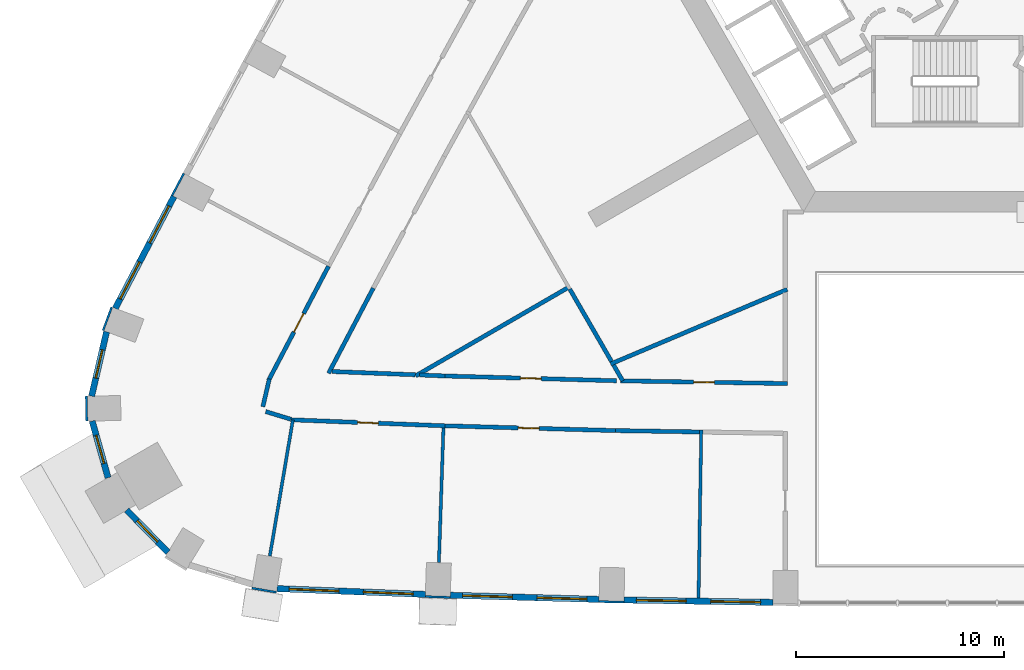
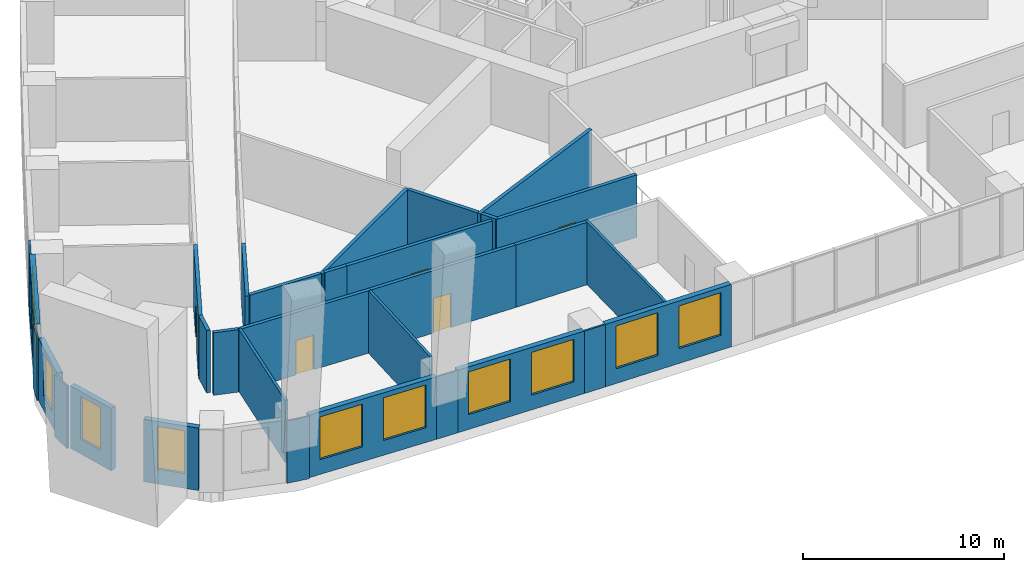
# One storey, part 4 of 15: 31 walls, 11 windows, 5 doors, 16 openings.
"""IFC4 building model written with IfcOpenShell, lengths in metres."""

from ifc_helpers import new_model, si_unit, direction, frame, frame_2d, origin, place, context, subcontext, project, spatial, rectangle, extrude, material, layer, layer_set, type_object, element, fill, save


model = new_model("IFC4")

# Units and contexts
model_context = context("Model", 3, precision=1e-05, world=origin(), true_north=direction((0.0, 1.0)))
body_context = subcontext(model_context, "Body", "Model", "MODEL_VIEW")
ifc_project = project(units=[si_unit("LENGTHUNIT", "METRE"), si_unit("AREAUNIT", "SQUARE_METRE"), si_unit("VOLUMEUNIT", "CUBIC_METRE"), si_unit("PLANEANGLEUNIT", "RADIAN"), si_unit("MASSUNIT", "GRAM", prefix="KILO")], contexts=[model_context])

# Site, building, storey
site_placement = place(None, origin())
site = spatial("IfcSite", under=ifc_project, at=site_placement, CompositionType="ELEMENT")
building_placement = place(site_placement, origin())
building = spatial("IfcBuilding", under=site, at=building_placement, Name="Entoto Arch Interchange Tower", CompositionType="ELEMENT")
storey_placement = place(building_placement, frame((0.0, 0.0, 35.0)))
storey = spatial("IfcBuildingStorey", under=building, at=storey_placement, Name="L06", CompositionType="ELEMENT", Elevation=35.0)

# Walls
ifc_material_1 = material(Name="Gypsum board partition on steel studs", Category="steel")
ifc_layer_1 = layer(ifc_material_1, 0.14990234375)
ifc_layer_set_1 = layer_set([ifc_layer_1], Name="Gypsum board partition on steel studs")
wall_type_1 = type_object("IfcWallType", Name="PARTITION 150", PredefinedType="PARTITIONING", material=ifc_layer_set_1)
wall_1_placement = place(storey_placement, frame((-31.514892578125, -19.506103515625, 0.0), z_axis=(0.0, 0.0, 1.0), x_axis=(-0.166785823947, -0.985993148521, 0.0)))
element("IfcWall", 1, at=wall_1_placement, inside=storey, type_object=wall_type_1, Name="wall:L06:p144", PredefinedType="PARTITIONING", context=body_context, shape_type="SweptSolid", body=[
    extrude(rectangle(XDim=6.650146484375, YDim=0.14990234375, at=frame_2d((3.3251953125, 0.0))), origin(), (0.0, 0.0, 1.0), 3.800048828125),
])
wall_2_placement = place(storey_placement, frame((-24.263916015625, -19.89208984375, 0.0), z_axis=(0.0, 0.0, 1.0), x_axis=(-0.033647289587, -0.999433769643, 0.0)))
element("IfcWall", 2, at=wall_2_placement, inside=storey, type_object=wall_type_1, Name="wall:L06:p145", PredefinedType="PARTITIONING", context=body_context, shape_type="SweptSolid", body=[
    extrude(rectangle(XDim=6.4794921875, YDim=0.14990234375, at=frame_2d((3.23974609375, 0.0))), origin(), (0.0, 0.0, 1.0), 3.800048828125),
])
wall_3_placement = place(storey_placement, frame((-11.847900390625, -19.990966796875, 0.0), z_axis=(0.0, 0.0, 1.0), x_axis=(-0.016305783899, -0.999867051868, 0.0)))
element("IfcWall", 3, at=wall_3_placement, inside=storey, type_object=wall_type_1, Name="wall:L06:p146", PredefinedType="PARTITIONING", context=body_context, shape_type="SweptSolid", body=[
    extrude(rectangle(XDim=8.10009765625, YDim=0.14990234375, at=frame_2d((4.050048828125, 0.0))), origin(), (0.0, 0.0, 1.0), 3.800048828125),
])

# Wall, opening, door
ifc_layer_2 = layer(ifc_material_1, 0.199951171875)
ifc_layer_set_2 = layer_set([ifc_layer_2], Name="Gypsum board partition on steel studs")
wall_type_2 = type_object("IfcWallType", Name="PARTITION 200", PredefinedType="PARTITIONING", material=ifc_layer_set_2)
wall_4_placement = place(storey_placement, frame((-15.72998046875, -17.626953125, 0.0), z_axis=(0.0, 0.0, 1.0), x_axis=(0.999866746812, -0.016324479129, 0.0)))
wall_4 = element("IfcWall", 4, at=wall_4_placement, inside=storey, type_object=wall_type_2, Name="wall:L06:p028", PredefinedType="PARTITIONING", context=body_context, shape_type="SweptSolid", body=[
    extrude(rectangle(XDim=8.031005859375, YDim=0.199951171875, at=frame_2d((4.015625, 0.0))), origin(), (0.0, 0.0, 1.0), 3.800048828125),
])
opening_1_placement = place(wall_4_placement, frame((3.514892578125, 0.0, 0.0)))
opening_1 = element("IfcOpeningElement", 5, at=opening_1_placement, cuts=wall_4, Name="Opening L06-D31", PredefinedType="OPENING", context=body_context, shape_type="SweptSolid", body=[
    extrude(rectangle(XDim=1.0, YDim=2.10009765625, at=frame_2d((0.5, 1.050048828125))), frame((0.0, 0.10986328125, 0.0), z_axis=(0.0, -1.0, 0.0), x_axis=(1.0, 0.0, 0.0)), (0.0, 0.0, 1.0), 0.219970703125),
])
ifc_material_2 = material(Name="Timber door leaf in Steel S235 frame", Category="steel")
door_type = type_object("IfcDoorType", Name="DOOR DS-10 1000x2100", OperationType="SINGLE_SWING_LEFT", PredefinedType="DOOR", material=ifc_material_2)
door_1_placement = place(opening_1_placement, origin())
door_1 = element("IfcDoor", 6, at=door_1_placement, inside=storey, type_object=door_type, Name="door:L06:31", OperationType="SINGLE_SWING_LEFT", OverallHeight=2.10009765625, OverallWidth=1.0, PredefinedType="DOOR", context=body_context, shape_type="SweptSolid", body=[
    extrude(rectangle(XDim=1.0, YDim=2.10009765625, at=frame_2d((0.5, 1.050048828125))), frame((0.0, 0.02490234375, 0.0), z_axis=(0.0, -1.0, 0.0), x_axis=(1.0, 0.0, 0.0)), (0.0, 0.0, 1.0), 0.050048828125),
])
fill(opening_1, door_1)

# Walls
wall_5_placement = place(storey_placement, frame((-27.64404296875, -13.1669921875, 0.0), z_axis=(0.0, 0.0, 1.0), x_axis=(-0.464919738277, -0.885352831904, 0.0)))
element("IfcWall", 7, at=wall_5_placement, inside=storey, type_object=wall_type_2, Name="wall:L06:p031", PredefinedType="PARTITIONING", context=body_context, shape_type="SweptSolid", body=[
    extrude(rectangle(XDim=4.62646484375, YDim=0.199951171875, at=frame_2d((2.313232421875, 0.0))), origin(), (0.0, 0.0, 1.0), 3.800048828125),
])
wall_6_placement = place(storey_placement, frame((-29.638916015625, -17.177978515625, 0.0), z_axis=(0.0, 0.0, 1.0), x_axis=(0.999228076722, -0.039284229546, 0.0)))
element("IfcWall", 8, at=wall_6_placement, inside=storey, type_object=wall_type_2, Name="wall:L06:p032", PredefinedType="PARTITIONING", context=body_context, shape_type="SweptSolid", body=[
    extrude(rectangle(XDim=4.02099609375, YDim=0.199951171875, at=frame_2d((2.010498046875, 0.0))), origin(), (0.0, 0.0, 1.0), 3.800048828125),
])
wall_7_placement = place(storey_placement, frame((-25.4208984375, -17.343994140625, 0.0), z_axis=(0.0, 0.0, 1.0), x_axis=(0.999219068508, -0.039512695804, 0.0)))
element("IfcWall", 9, at=wall_7_placement, inside=storey, type_object=wall_type_2, Name="wall:L06:p033", PredefinedType="PARTITIONING", context=body_context, shape_type="SweptSolid", body=[
    extrude(rectangle(XDim=1.241943359375, YDim=0.199951171875, at=frame_2d((0.62109375, 0.0))), origin(), (0.0, 0.0, 1.0), 3.800048828125),
])

# Wall, opening, door
wall_8_placement = place(storey_placement, frame((-24.179931640625, -17.39306640625, 0.0), z_axis=(0.0, 0.0, 1.0), x_axis=(0.999611380121, -0.02787631132, 0.0)))
wall_8 = element("IfcWall", 10, at=wall_8_placement, inside=storey, type_object=wall_type_2, Name="wall:L06:p034", PredefinedType="PARTITIONING", context=body_context, shape_type="SweptSolid", body=[
    extrude(rectangle(XDim=8.25, YDim=0.199951171875, at=frame_2d((4.125, 0.0))), origin(), (0.0, 0.0, 1.0), 3.800048828125),
])
opening_2_placement = place(wall_8_placement, frame((3.625, 0.0, 0.0)))
opening_2 = element("IfcOpeningElement", 11, at=opening_2_placement, cuts=wall_8, Name="Opening L06-D33", PredefinedType="OPENING", context=body_context, shape_type="SweptSolid", body=[
    extrude(rectangle(XDim=1.0, YDim=2.10009765625, at=frame_2d((0.5, 1.050048828125))), frame((0.0, 0.10986328125, 0.0), z_axis=(0.0, -1.0, 0.0), x_axis=(1.0, 0.0, 0.0)), (0.0, 0.0, 1.0), 0.219970703125),
])
door_2_placement = place(opening_2_placement, origin())
door_2 = element("IfcDoor", 12, at=door_2_placement, inside=storey, type_object=door_type, Name="door:L06:33", OperationType="SINGLE_SWING_RIGHT", OverallHeight=2.10009765625, OverallWidth=1.0, PredefinedType="DOOR", context=body_context, shape_type="SweptSolid", body=[
    extrude(rectangle(XDim=1.0, YDim=2.10009765625, at=frame_2d((0.5, 1.050048828125))), frame((0.0, 0.02490234375, 0.0), z_axis=(0.0, -1.0, 0.0), x_axis=(1.0, 0.0, 0.0)), (0.0, 0.0, 1.0), 0.050048828125),
])
fill(opening_2, door_2)

# Walls
wall_9_placement = place(storey_placement, frame((-31.611083984375, -19.47705078125, 0.0), z_axis=(0.0, 0.0, 1.0), x_axis=(-0.956459113118, 0.291866347723, 0.0)))
element("IfcWall", 13, at=wall_9_placement, inside=storey, type_object=wall_type_2, Name="wall:L06:p066", PredefinedType="PARTITIONING", context=body_context, shape_type="SweptSolid", body=[
    extrude(rectangle(XDim=1.26806640625, YDim=0.199951171875, at=frame_2d((0.634033203125, 0.0))), origin(), (0.0, 0.0, 1.0), 3.800048828125),
])
wall_10_placement = place(storey_placement, frame((-32.9599609375, -18.8740234375, 0.0), z_axis=(0.0, 0.0, 1.0), x_axis=(0.226081445763, 0.974108402531, 0.0)))
element("IfcWall", 14, at=wall_10_placement, inside=storey, type_object=wall_type_2, Name="wall:L06:p067", PredefinedType="PARTITIONING", context=body_context, shape_type="SweptSolid", body=[
    extrude(rectangle(XDim=1.371337890625, YDim=0.199951171875, at=frame_2d((0.685546875, 0.0))), origin(), (0.0, 0.0, 1.0), 3.800048828125),
])

# Wall, opening, door
wall_11_placement = place(storey_placement, frame((-32.696044921875, -17.6259765625, 0.0), z_axis=(0.0, 0.0, 1.0), x_axis=(0.464767882002, 0.885432558617, 0.0)))
wall_11 = element("IfcWall", 15, at=wall_11_placement, inside=storey, type_object=wall_type_2, Name="wall:L06:p068", PredefinedType="PARTITIONING", context=body_context, shape_type="SweptSolid", body=[
    extrude(rectangle(XDim=6.233154296875, YDim=0.199951171875, at=frame_2d((3.11669921875, 0.0))), origin(), (0.0, 0.0, 1.0), 3.800048828125),
])
opening_3_placement = place(wall_11_placement, frame((2.654052734375, 0.0, 0.0)))
opening_3 = element("IfcOpeningElement", 16, at=opening_3_placement, cuts=wall_11, Name="Opening L06-D19", PredefinedType="OPENING", context=body_context, shape_type="SweptSolid", body=[
    extrude(rectangle(XDim=1.0, YDim=2.10009765625, at=frame_2d((0.5, 1.050048828125))), frame((0.0, 0.10986328125, 0.0), z_axis=(0.0, -1.0, 0.0), x_axis=(1.0, 0.0, 0.0)), (0.0, 0.0, 1.0), 0.219970703125),
])
door_3_placement = place(opening_3_placement, origin())
door_3 = element("IfcDoor", 17, at=door_3_placement, inside=storey, type_object=door_type, Name="door:L06:19", OperationType="SINGLE_SWING_RIGHT", OverallHeight=2.10009765625, OverallWidth=1.0, PredefinedType="DOOR", context=body_context, shape_type="SweptSolid", body=[
    extrude(rectangle(XDim=1.0, YDim=2.10009765625, at=frame_2d((0.5, 1.050048828125))), frame((0.0, 0.02490234375, 0.0), z_axis=(0.0, -1.0, 0.0), x_axis=(1.0, 0.0, 0.0)), (0.0, 0.0, 1.0), 0.050048828125),
])
fill(opening_3, door_3)

wall_12_placement = place(storey_placement, frame((-24.18603515625, -19.794921875, 0.0), z_axis=(0.0, 0.0, 1.0), x_axis=(-0.9992284676, 0.039274285953, 0.0)))
wall_12 = element("IfcWall", 18, at=wall_12_placement, inside=storey, type_object=wall_type_2, Name="wall:L06:p069", PredefinedType="PARTITIONING", context=body_context, shape_type="SweptSolid", body=[
    extrude(rectangle(XDim=7.4345703125, YDim=0.199951171875, at=frame_2d((3.71728515625, 0.0))), origin(), (0.0, 0.0, 1.0), 3.800048828125),
])
opening_4_placement = place(wall_12_placement, frame((3.217041015625, 0.0, 0.0)))
opening_4 = element("IfcOpeningElement", 19, at=opening_4_placement, cuts=wall_12, Name="Opening L06-D20", PredefinedType="OPENING", context=body_context, shape_type="SweptSolid", body=[
    extrude(rectangle(XDim=1.0, YDim=2.10009765625, at=frame_2d((0.5, 1.050048828125))), frame((0.0, 0.10986328125, 0.0), z_axis=(0.0, -1.0, 0.0), x_axis=(1.0, 0.0, 0.0)), (0.0, 0.0, 1.0), 0.219970703125),
])
door_4_placement = place(opening_4_placement, origin())
door_4 = element("IfcDoor", 20, at=door_4_placement, inside=storey, type_object=door_type, Name="door:L06:20", OperationType="SINGLE_SWING_LEFT", OverallHeight=2.10009765625, OverallWidth=1.0, PredefinedType="DOOR", context=body_context, shape_type="SweptSolid", body=[
    extrude(rectangle(XDim=1.0, YDim=2.10009765625, at=frame_2d((0.5, 1.050048828125))), frame((0.0, 0.02490234375, 0.0), z_axis=(0.0, -1.0, 0.0), x_axis=(1.0, 0.0, 0.0)), (0.0, 0.0, 1.0), 0.050048828125),
])
fill(opening_4, door_4)

# Wall
wall_13_placement = place(storey_placement, frame((-11.924072265625, -20.089111328125, 0.0), z_axis=(0.0, 0.0, 1.0), x_axis=(-0.999867376665, 0.016285855216, 0.0)))
element("IfcWall", 21, at=wall_13_placement, inside=storey, type_object=wall_type_2, Name="wall:L06:p070", PredefinedType="PARTITIONING", context=body_context, shape_type="SweptSolid", body=[
    extrude(rectangle(XDim=4.0625, YDim=0.199951171875, at=frame_2d((2.03125, 0.0))), origin(), (0.0, 0.0, 1.0), 3.800048828125),
])

# Wall, opening, door
wall_14_placement = place(storey_placement, frame((-15.986083984375, -20.02294921875, 0.0), z_axis=(0.0, 0.0, 1.0), x_axis=(-0.999610256124, 0.027916587377, 0.0)))
wall_14 = element("IfcWall", 22, at=wall_14_placement, inside=storey, type_object=wall_type_2, Name="wall:L06:p071", PredefinedType="PARTITIONING", context=body_context, shape_type="SweptSolid", body=[
    extrude(rectangle(XDim=8.203125, YDim=0.199951171875, at=frame_2d((4.1015625, 0.0))), origin(), (0.0, 0.0, 1.0), 3.800048828125),
])
opening_5_placement = place(wall_14_placement, frame((3.677001953125, 0.0, 0.0)))
opening_5 = element("IfcOpeningElement", 23, at=opening_5_placement, cuts=wall_14, Name="Opening L06-D21", PredefinedType="OPENING", context=body_context, shape_type="SweptSolid", body=[
    extrude(rectangle(XDim=1.0, YDim=2.10009765625, at=frame_2d((0.5, 1.050048828125))), frame((0.0, 0.10986328125, 0.0), z_axis=(0.0, -1.0, 0.0), x_axis=(1.0, 0.0, 0.0)), (0.0, 0.0, 1.0), 0.219970703125),
])
door_5_placement = place(opening_5_placement, origin())
door_5 = element("IfcDoor", 24, at=door_5_placement, inside=storey, type_object=door_type, Name="door:L06:21", OperationType="SINGLE_SWING_RIGHT", OverallHeight=2.10009765625, OverallWidth=1.0, PredefinedType="DOOR", context=body_context, shape_type="SweptSolid", body=[
    extrude(rectangle(XDim=1.0, YDim=2.10009765625, at=frame_2d((0.5, 1.050048828125))), frame((0.0, 0.02490234375, 0.0), z_axis=(0.0, -1.0, 0.0), x_axis=(1.0, 0.0, 0.0)), (0.0, 0.0, 1.0), 0.050048828125),
])
fill(opening_5, door_5)

# Walls
wall_15_placement = place(storey_placement, frame((-7.7080078125, -13.221923828125, 0.0), z_axis=(0.0, 0.0, 1.0), x_axis=(-0.921093468555, -0.389341523839, 0.0)))
element("IfcWall", 25, at=wall_15_placement, inside=storey, type_object=wall_type_2, Name="wall:L06:p121", PredefinedType="PARTITIONING", context=body_context, shape_type="SweptSolid", body=[
    extrude(rectangle(XDim=9.2333984375, YDim=0.199951171875, at=frame_2d((4.61669921875, 0.0))), origin(), (0.0, 0.0, 1.0), 3.800048828125),
])
wall_16_placement = place(storey_placement, frame((-16.1708984375, -16.69189453125, 0.0), z_axis=(0.0, 0.0, 1.0), x_axis=(-0.499813503007, 0.866133051102, 0.0)))
element("IfcWall", 26, at=wall_16_placement, inside=storey, type_object=wall_type_2, Name="wall:L06:p123", PredefinedType="PARTITIONING", context=body_context, shape_type="SweptSolid", body=[
    extrude(rectangle(XDim=4.0234375, YDim=0.199951171875, at=frame_2d((2.01171875, 0.0))), origin(), (0.0, 0.0, 1.0), 3.800048828125),
])
wall_17_placement = place(storey_placement, frame((-15.6298828125, -17.6279296875, 0.0), z_axis=(0.0, 0.0, 1.0), x_axis=(-0.500577563191, 0.865691690632, 0.0)))
element("IfcWall", 27, at=wall_17_placement, inside=storey, type_object=wall_type_2, Name="wall:L06:p124", PredefinedType="PARTITIONING", context=body_context, shape_type="SweptSolid", body=[
    extrude(rectangle(XDim=0.88134765625, YDim=0.199951171875, at=frame_2d((0.440673828125, 0.0))), origin(), (0.0, 0.0, 1.0), 3.800048828125),
])
wall_18_placement = place(storey_placement, frame((-18.2109375, -13.10791015625, 0.0), z_axis=(0.0, 0.0, 1.0), x_axis=(-0.865421721769, -0.501044153235, 0.0)))
element("IfcWall", 28, at=wall_18_placement, inside=storey, type_object=wall_type_2, Name="wall:L06:p125", PredefinedType="PARTITIONING", context=body_context, shape_type="SweptSolid", body=[
    extrude(rectangle(XDim=8.546142578125, YDim=0.199951171875, at=frame_2d((4.27294921875, 0.0))), origin(), (0.0, 0.0, 1.0), 3.800048828125),
])

# Wall, openings, windows
ifc_material_3 = material(Name="Welded tuff (ignimbrite) cladding, warm buff", Category="masonry")
ifc_layer_3 = layer(ifc_material_3, 0.300048828125)
ifc_layer_set_3 = layer_set([ifc_layer_3], Name="Welded tuff (ignimbrite) cladding, warm buff")
wall_type_3 = type_object("IfcWallType", Name="STONE INFILL WALL 300", PredefinedType="STANDARD", material=ifc_layer_set_3)
wall_19_placement = place(storey_placement, frame((-32.281982421875, -27.633056640625, 0.0), z_axis=(0.0, 0.0, 1.0), x_axis=(0.999228146648, -0.039282450878, 0.0)))
wall_19 = element("IfcWall", 29, at=wall_19_placement, inside=storey, type_object=wall_type_3, Name="Facade wall S-01 L06", PredefinedType="STANDARD", context=body_context, shape_type="SweptSolid", body=[
    extrude(rectangle(XDim=7.153564453125, YDim=0.300048828125, at=frame_2d((3.57666015625, 0.0))), origin(), (0.0, 0.0, 1.0), 3.800048828125),
])
opening_6_placement = place(wall_19_placement, frame((0.587890625, 0.0, 0.89990234375)))
opening_6 = element("IfcOpeningElement", 30, at=opening_6_placement, cuts=wall_19, Name="Opening WO-A", PredefinedType="OPENING", context=body_context, shape_type="SweptSolid", body=[
    extrude(rectangle(XDim=2.39990234375, YDim=2.60009765625, at=frame_2d((1.199951171875, 1.300048828125))), frame((0.0, 0.16015625, 0.0), z_axis=(0.0, -1.0, 0.0), x_axis=(1.0, 0.0, 0.0)), (0.0, 0.0, 1.0), 0.320068359375),
])
opening_7_placement = place(wall_19_placement, frame((4.1650390625, 0.0, 0.89990234375)))
opening_7 = element("IfcOpeningElement", 31, at=opening_7_placement, cuts=wall_19, Name="Opening WO-A", PredefinedType="OPENING", context=body_context, shape_type="SweptSolid", body=[
    extrude(rectangle(XDim=2.39990234375, YDim=2.60009765625, at=frame_2d((1.199951171875, 1.300048828125))), frame((0.0, 0.16015625, 0.0), z_axis=(0.0, -1.0, 0.0), x_axis=(1.0, 0.0, 0.0)), (0.0, 0.0, 1.0), 0.320068359375),
])
ifc_material_4 = material(Name="Clear glass, low-e double glazed", Category="glass")
window_type_1 = type_object("IfcWindowType", Name="WINDOW WO-A 2400x2600", PartitioningType="DOUBLE_PANEL_VERTICAL", PredefinedType="WINDOW", material=ifc_material_4)
window_1_placement = place(opening_6_placement, origin())
window_1 = element("IfcWindow", 32, at=window_1_placement, inside=storey, type_object=window_type_1, Name="Window WO-A S-01 L06", OverallHeight=2.60009765625, OverallWidth=2.39990234375, PartitioningType="SINGLE_PANEL", PredefinedType="WINDOW", context=body_context, shape_type="SweptSolid", body=[
    extrude(rectangle(XDim=2.39990234375, YDim=2.60009765625, at=frame_2d((1.199951171875, 1.300048828125))), frame((0.0, 0.030029296875, 0.0), z_axis=(0.0, -1.0, 0.0), x_axis=(1.0, 0.0, 0.0)), (0.0, 0.0, 1.0), 0.06005859375),
])
fill(opening_6, window_1)
window_2_placement = place(opening_7_placement, origin())
window_2 = element("IfcWindow", 33, at=window_2_placement, inside=storey, type_object=window_type_1, Name="Window WO-A S-01 L06", OverallHeight=2.60009765625, OverallWidth=2.39990234375, PartitioningType="SINGLE_PANEL", PredefinedType="WINDOW", context=body_context, shape_type="SweptSolid", body=[
    extrude(rectangle(XDim=2.39990234375, YDim=2.60009765625, at=frame_2d((1.199951171875, 1.300048828125))), frame((0.0, 0.030029296875, 0.0), z_axis=(0.0, -1.0, 0.0), x_axis=(1.0, 0.0, 0.0)), (0.0, 0.0, 1.0), 0.06005859375),
])
fill(opening_7, window_2)

wall_20_placement = place(storey_placement, frame((-23.93603515625, -27.9541015625, 0.0), z_axis=(0.0, 0.0, 1.0), x_axis=(0.999611502654, -0.02787191709, 0.0)))
wall_20 = element("IfcWall", 34, at=wall_20_placement, inside=storey, type_object=wall_type_3, Name="Facade wall S-02 L06", PredefinedType="STANDARD", context=body_context, shape_type="SweptSolid", body=[
    extrude(rectangle(XDim=7.173828125, YDim=0.300048828125, at=frame_2d((3.5869140625, 0.0))), origin(), (0.0, 0.0, 1.0), 3.800048828125),
])
opening_8_placement = place(wall_20_placement, frame((0.593017578125, 0.0, 0.89990234375)))
opening_8 = element("IfcOpeningElement", 35, at=opening_8_placement, cuts=wall_20, Name="Opening WO-A", PredefinedType="OPENING", context=body_context, shape_type="SweptSolid", body=[
    extrude(rectangle(XDim=2.39990234375, YDim=2.60009765625, at=frame_2d((1.199951171875, 1.300048828125))), frame((0.0, 0.16015625, 0.0), z_axis=(0.0, -1.0, 0.0), x_axis=(1.0, 0.0, 0.0)), (0.0, 0.0, 1.0), 0.320068359375),
])
opening_9_placement = place(wall_20_placement, frame((4.179931640625, 0.0, 0.89990234375)))
opening_9 = element("IfcOpeningElement", 36, at=opening_9_placement, cuts=wall_20, Name="Opening WO-A", PredefinedType="OPENING", context=body_context, shape_type="SweptSolid", body=[
    extrude(rectangle(XDim=2.39990234375, YDim=2.60009765625, at=frame_2d((1.199951171875, 1.300048828125))), frame((0.0, 0.16015625, 0.0), z_axis=(0.0, -1.0, 0.0), x_axis=(1.0, 0.0, 0.0)), (0.0, 0.0, 1.0), 0.320068359375),
])
window_3_placement = place(opening_8_placement, origin())
window_3 = element("IfcWindow", 37, at=window_3_placement, inside=storey, type_object=window_type_1, Name="Window WO-A S-02 L06", OverallHeight=2.60009765625, OverallWidth=2.39990234375, PartitioningType="SINGLE_PANEL", PredefinedType="WINDOW", context=body_context, shape_type="SweptSolid", body=[
    extrude(rectangle(XDim=2.39990234375, YDim=2.60009765625, at=frame_2d((1.199951171875, 1.300048828125))), frame((0.0, 0.030029296875, 0.0), z_axis=(0.0, -1.0, 0.0), x_axis=(1.0, 0.0, 0.0)), (0.0, 0.0, 1.0), 0.06005859375),
])
fill(opening_8, window_3)
window_4_placement = place(opening_9_placement, origin())
window_4 = element("IfcWindow", 38, at=window_4_placement, inside=storey, type_object=window_type_1, Name="Window WO-A S-02 L06", OverallHeight=2.60009765625, OverallWidth=2.39990234375, PartitioningType="SINGLE_PANEL", PredefinedType="WINDOW", context=body_context, shape_type="SweptSolid", body=[
    extrude(rectangle(XDim=2.39990234375, YDim=2.60009765625, at=frame_2d((1.199951171875, 1.300048828125))), frame((0.0, 0.030029296875, 0.0), z_axis=(0.0, -1.0, 0.0), x_axis=(1.0, 0.0, 0.0)), (0.0, 0.0, 1.0), 0.06005859375),
])
fill(opening_9, window_4)

wall_21_placement = place(storey_placement, frame((-15.568115234375, -28.180908203125, 0.0), z_axis=(0.0, 0.0, 1.0), x_axis=(0.999866467443, -0.016341581408, 0.0)))
wall_21 = element("IfcWall", 39, at=wall_21_placement, inside=storey, type_object=wall_type_3, Name="Facade wall S-03 L06", PredefinedType="STANDARD", context=body_context, shape_type="SweptSolid", body=[
    extrude(rectangle(XDim=7.171142578125, YDim=0.300048828125, at=frame_2d((3.58544921875, 0.0))), origin(), (0.0, 0.0, 1.0), 3.800048828125),
])
opening_10_placement = place(wall_21_placement, frame((0.593017578125, 0.0, 0.89990234375)))
opening_10 = element("IfcOpeningElement", 40, at=opening_10_placement, cuts=wall_21, Name="Opening WO-A", PredefinedType="OPENING", context=body_context, shape_type="SweptSolid", body=[
    extrude(rectangle(XDim=2.39990234375, YDim=2.60009765625, at=frame_2d((1.199951171875, 1.300048828125))), frame((0.0, 0.16015625, 0.0), z_axis=(0.0, -1.0, 0.0), x_axis=(1.0, 0.0, 0.0)), (0.0, 0.0, 1.0), 0.320068359375),
])
opening_11_placement = place(wall_21_placement, frame((4.177978515625, 0.0, 0.89990234375)))
opening_11 = element("IfcOpeningElement", 41, at=opening_11_placement, cuts=wall_21, Name="Opening WO-A", PredefinedType="OPENING", context=body_context, shape_type="SweptSolid", body=[
    extrude(rectangle(XDim=2.39990234375, YDim=2.60009765625, at=frame_2d((1.199951171875, 1.300048828125))), frame((0.0, 0.16015625, 0.0), z_axis=(0.0, -1.0, 0.0), x_axis=(1.0, 0.0, 0.0)), (0.0, 0.0, 1.0), 0.320068359375),
])
window_5_placement = place(opening_10_placement, origin())
window_5 = element("IfcWindow", 42, at=window_5_placement, inside=storey, type_object=window_type_1, Name="Window WO-A S-03 L06", OverallHeight=2.60009765625, OverallWidth=2.39990234375, PartitioningType="SINGLE_PANEL", PredefinedType="WINDOW", context=body_context, shape_type="SweptSolid", body=[
    extrude(rectangle(XDim=2.39990234375, YDim=2.60009765625, at=frame_2d((1.199951171875, 1.300048828125))), frame((0.0, 0.030029296875, 0.0), z_axis=(0.0, -1.0, 0.0), x_axis=(1.0, 0.0, 0.0)), (0.0, 0.0, 1.0), 0.06005859375),
])
fill(opening_10, window_5)
window_6_placement = place(opening_11_placement, origin())
window_6 = element("IfcWindow", 43, at=window_6_placement, inside=storey, type_object=window_type_1, Name="Window WO-A S-03 L06", OverallHeight=2.60009765625, OverallWidth=2.39990234375, PartitioningType="SINGLE_PANEL", PredefinedType="WINDOW", context=body_context, shape_type="SweptSolid", body=[
    extrude(rectangle(XDim=2.39990234375, YDim=2.60009765625, at=frame_2d((1.199951171875, 1.300048828125))), frame((0.0, 0.030029296875, 0.0), z_axis=(0.0, -1.0, 0.0), x_axis=(1.0, 0.0, 0.0)), (0.0, 0.0, 1.0), 0.06005859375),
])
fill(opening_11, window_6)

wall_22_placement = place(storey_placement, frame((-37.239013671875, -8.74609375, 0.0), z_axis=(0.0, 0.0, 1.0), x_axis=(-0.464913987781, -0.885355851602, 0.0)))
wall_22 = element("IfcWall", 44, at=wall_22_placement, inside=storey, type_object=wall_type_3, Name="Facade wall NW-09 L06", PredefinedType="STANDARD", context=body_context, shape_type="SweptSolid", body=[
    extrude(rectangle(XDim=6.093505859375, YDim=0.300048828125, at=frame_2d((3.046875, 0.0))), origin(), (0.0, 0.0, 1.0), 3.800048828125),
])
opening_12_placement = place(wall_22_placement, frame((0.52294921875, 0.0, 0.89990234375)))
opening_12 = element("IfcOpeningElement", 45, at=opening_12_placement, cuts=wall_22, Name="Opening WO-C", PredefinedType="OPENING", context=body_context, shape_type="SweptSolid", body=[
    extrude(rectangle(XDim=2.0, YDim=2.60009765625, at=frame_2d((1.0, 1.300048828125))), frame((0.0, 0.16015625, 0.0), z_axis=(0.0, -1.0, 0.0), x_axis=(1.0, 0.0, 0.0)), (0.0, 0.0, 1.0), 0.320068359375),
])
opening_13_placement = place(wall_22_placement, frame((3.570068359375, 0.0, 0.89990234375)))
opening_13 = element("IfcOpeningElement", 46, at=opening_13_placement, cuts=wall_22, Name="Opening WO-C", PredefinedType="OPENING", context=body_context, shape_type="SweptSolid", body=[
    extrude(rectangle(XDim=2.0, YDim=2.60009765625, at=frame_2d((1.0, 1.300048828125))), frame((0.0, 0.16015625, 0.0), z_axis=(0.0, -1.0, 0.0), x_axis=(1.0, 0.0, 0.0)), (0.0, 0.0, 1.0), 0.320068359375),
])
window_type_2 = type_object("IfcWindowType", Name="WINDOW WO-C 2000x2600", PartitioningType="DOUBLE_PANEL_VERTICAL", PredefinedType="WINDOW", material=ifc_material_4)
window_7_placement = place(opening_12_placement, origin())
window_7 = element("IfcWindow", 47, at=window_7_placement, inside=storey, type_object=window_type_2, Name="Window WO-C NW-09 L06", OverallHeight=2.60009765625, OverallWidth=2.0, PartitioningType="SINGLE_PANEL", PredefinedType="WINDOW", context=body_context, shape_type="SweptSolid", body=[
    extrude(rectangle(XDim=2.0, YDim=2.60009765625, at=frame_2d((1.0, 1.300048828125))), frame((0.0, 0.030029296875, 0.0), z_axis=(0.0, -1.0, 0.0), x_axis=(1.0, 0.0, 0.0)), (0.0, 0.0, 1.0), 0.06005859375),
])
fill(opening_12, window_7)
window_8_placement = place(opening_13_placement, origin())
window_8 = element("IfcWindow", 48, at=window_8_placement, inside=storey, type_object=window_type_2, Name="Window WO-C NW-09 L06", OverallHeight=2.60009765625, OverallWidth=2.0, PartitioningType="SINGLE_PANEL", PredefinedType="WINDOW", context=body_context, shape_type="SweptSolid", body=[
    extrude(rectangle(XDim=2.0, YDim=2.60009765625, at=frame_2d((1.0, 1.300048828125))), frame((0.0, 0.030029296875, 0.0), z_axis=(0.0, -1.0, 0.0), x_axis=(1.0, 0.0, 0.0)), (0.0, 0.0, 1.0), 0.06005859375),
])
fill(opening_13, window_8)

# Wall, opening, window
wall_23_placement = place(storey_placement, frame((-40.489013671875, -15.263916015625, 0.0), z_axis=(0.0, 0.0, 1.0), x_axis=(-0.225929520451, -0.974143650489, 0.0)))
wall_23 = element("IfcWall", 49, at=wall_23_placement, inside=storey, type_object=wall_type_3, Name="Facade wall SW-01 L06", PredefinedType="STANDARD", context=body_context, shape_type="SweptSolid", body=[
    extrude(rectangle(XDim=3.182373046875, YDim=0.300048828125, at=frame_2d((1.59130859375, 0.0))), origin(), (0.0, 0.0, 1.0), 3.800048828125),
])
opening_14_placement = place(wall_23_placement, frame((0.89111328125, 0.0, 0.89990234375)))
opening_14 = element("IfcOpeningElement", 50, at=opening_14_placement, cuts=wall_23, Name="Opening WO-B", PredefinedType="OPENING", context=body_context, shape_type="SweptSolid", body=[
    extrude(rectangle(XDim=1.39990234375, YDim=2.60009765625, at=frame_2d((0.699951171875, 1.300048828125))), frame((0.0, 0.16015625, 0.0), z_axis=(0.0, -1.0, 0.0), x_axis=(1.0, 0.0, 0.0)), (0.0, 0.0, 1.0), 0.320068359375),
])
window_type_3 = type_object("IfcWindowType", Name="WINDOW WO-B 1400x2600", PartitioningType="DOUBLE_PANEL_VERTICAL", PredefinedType="WINDOW", material=ifc_material_4)
window_9_placement = place(opening_14_placement, origin())
window_9 = element("IfcWindow", 51, at=window_9_placement, inside=storey, type_object=window_type_3, Name="Window WO-B SW-01 L06", OverallHeight=2.60009765625, OverallWidth=1.39990234375, PartitioningType="SINGLE_PANEL", PredefinedType="WINDOW", context=body_context, shape_type="SweptSolid", body=[
    extrude(rectangle(XDim=1.39990234375, YDim=2.60009765625, at=frame_2d((0.699951171875, 1.300048828125))), frame((0.0, 0.030029296875, 0.0), z_axis=(0.0, -1.0, 0.0), x_axis=(1.0, 0.0, 0.0)), (0.0, 0.0, 1.0), 0.06005859375),
])
fill(opening_14, window_9)

wall_24_placement = place(storey_placement, frame((-41.180908203125, -19.56201171875, 0.0), z_axis=(0.0, 0.0, 1.0), x_axis=(0.269754317033, -0.962929181426, 0.0)))
wall_24 = element("IfcWall", 52, at=wall_24_placement, inside=storey, type_object=wall_type_3, Name="Facade wall SW-02 L06", PredefinedType="STANDARD", context=body_context, shape_type="SweptSolid", body=[
    extrude(rectangle(XDim=2.839111328125, YDim=0.300048828125, at=frame_2d((1.41943359375, 0.0))), origin(), (0.0, 0.0, 1.0), 3.800048828125),
])
opening_15_placement = place(wall_24_placement, frame((0.719970703125, 0.0, 0.89990234375)))
opening_15 = element("IfcOpeningElement", 53, at=opening_15_placement, cuts=wall_24, Name="Opening WO-B", PredefinedType="OPENING", context=body_context, shape_type="SweptSolid", body=[
    extrude(rectangle(XDim=1.39990234375, YDim=2.60009765625, at=frame_2d((0.699951171875, 1.300048828125))), frame((0.0, 0.16015625, 0.0), z_axis=(0.0, -1.0, 0.0), x_axis=(1.0, 0.0, 0.0)), (0.0, 0.0, 1.0), 0.320068359375),
])
window_10_placement = place(opening_15_placement, origin())
window_10 = element("IfcWindow", 54, at=window_10_placement, inside=storey, type_object=window_type_3, Name="Window WO-B SW-02 L06", OverallHeight=2.60009765625, OverallWidth=1.39990234375, PartitioningType="SINGLE_PANEL", PredefinedType="WINDOW", context=body_context, shape_type="SweptSolid", body=[
    extrude(rectangle(XDim=1.39990234375, YDim=2.60009765625, at=frame_2d((0.699951171875, 1.300048828125))), frame((0.0, 0.030029296875, 0.0), z_axis=(0.0, -1.0, 0.0), x_axis=(1.0, 0.0, 0.0)), (0.0, 0.0, 1.0), 0.06005859375),
])
fill(opening_15, window_10)

wall_25_placement = place(storey_placement, frame((-39.51611328125, -23.85302734375, 0.0), z_axis=(0.0, 0.0, 1.0), x_axis=(0.699151821451, -0.714973237654, 0.0)))
wall_25 = element("IfcWall", 55, at=wall_25_placement, inside=storey, type_object=wall_type_3, Name="Facade wall SW-03 L06", PredefinedType="STANDARD", context=body_context, shape_type="SweptSolid", body=[
    extrude(rectangle(XDim=2.83935546875, YDim=0.300048828125, at=frame_2d((1.419677734375, 0.0))), origin(), (0.0, 0.0, 1.0), 3.800048828125),
])
opening_16_placement = place(wall_25_placement, frame((0.719970703125, 0.0, 0.89990234375)))
opening_16 = element("IfcOpeningElement", 56, at=opening_16_placement, cuts=wall_25, Name="Opening WO-B", PredefinedType="OPENING", context=body_context, shape_type="SweptSolid", body=[
    extrude(rectangle(XDim=1.39990234375, YDim=2.60009765625, at=frame_2d((0.699951171875, 1.300048828125))), frame((0.0, 0.16015625, 0.0), z_axis=(0.0, -1.0, 0.0), x_axis=(1.0, 0.0, 0.0)), (0.0, 0.0, 1.0), 0.320068359375),
])
window_11_placement = place(opening_16_placement, origin())
window_11 = element("IfcWindow", 57, at=window_11_placement, inside=storey, type_object=window_type_3, Name="Window WO-B SW-03 L06", OverallHeight=2.60009765625, OverallWidth=1.39990234375, PartitioningType="SINGLE_PANEL", PredefinedType="WINDOW", context=body_context, shape_type="SweptSolid", body=[
    extrude(rectangle(XDim=1.39990234375, YDim=2.60009765625, at=frame_2d((0.699951171875, 1.300048828125))), frame((0.0, 0.030029296875, 0.0), z_axis=(0.0, -1.0, 0.0), x_axis=(1.0, 0.0, 0.0)), (0.0, 0.0, 1.0), 0.06005859375),
])
fill(opening_16, window_11)

# Walls
ifc_layer_4 = layer(ifc_material_3, 0.10009765625)
ifc_layer_set_4 = layer_set([ifc_layer_4], Name="Welded tuff (ignimbrite) cladding, warm buff")
wall_type_4 = type_object("IfcWallType", Name="STONE PIER CLADDING 100", PredefinedType="STANDARD", material=ifc_layer_set_4)
wall_26_placement = place(storey_placement, frame((-36.76708984375, -7.638916015625, 0.0), z_axis=(0.0, 0.0, 1.0), x_axis=(-0.469383408131, -0.882994459876, 0.0)))
element("IfcWall", 58, at=wall_26_placement, inside=storey, type_object=wall_type_4, Name="Stone pier NW09 L06", PredefinedType="STANDARD", context=body_context, shape_type="SweptSolid", body=[
    extrude(rectangle(XDim=1.199462890625, YDim=0.10009765625, at=frame_2d((0.599609375, 0.0))), origin(), (0.0, 0.0, 1.0), 3.800048828125),
])
wall_27_placement = place(storey_placement, frame((-40.238037109375, -14.077880859375, 0.0), z_axis=(0.0, 0.0, 1.0), x_axis=(-0.348268249601, -0.937394914814, 0.0)))
element("IfcWall", 59, at=wall_27_placement, inside=storey, type_object=wall_type_4, Name="Stone pier NW10 L06", PredefinedType="STANDARD", context=body_context, shape_type="SweptSolid", body=[
    extrude(rectangle(XDim=1.2001953125, YDim=0.10009765625, at=frame_2d((0.60009765625, 0.0))), origin(), (0.0, 0.0, 1.0), 3.800048828125),
])
for number, where, z_axis, x_axis, name in (
    (60, (-33.493896484375, -27.60888671875, 0.0), (0.0, 0.0, 1.0), (0.98597830993, -0.166873522011, 0.0), "Stone pier S01 L06"),
    (61, (-25.137939453125, -28.01708984375, 0.0), (0.0, 0.0, 1.0), (0.999449640202, -0.033172529292, 0.0), "Stone pier S02 L06"),
):
    element("IfcWall", number, at=place(storey_placement, frame(where, z_axis=z_axis, x_axis=x_axis)), inside=storey, type_object=wall_type_4, Name=name, PredefinedType="STANDARD", context=body_context, shape_type="SweptSolid", body=[
        extrude(rectangle(XDim=1.19970703125, YDim=0.10009765625, at=frame_2d((0.599853515625, 0.0))), origin(), (0.0, 0.0, 1.0), 3.800048828125),
    ])
wall_28_placement = place(storey_placement, frame((-16.76904296875, -28.258056640625, 0.0), z_axis=(0.0, 0.0, 1.0), x_axis=(0.99976752127, -0.021561618973, 0.0)))
element("IfcWall", 62, at=wall_28_placement, inside=storey, type_object=wall_type_4, Name="Stone pier S03 L06", PredefinedType="STANDARD", context=body_context, shape_type="SweptSolid", body=[
    extrude(rectangle(XDim=1.2001953125, YDim=0.10009765625, at=frame_2d((0.60009765625, 0.0))), origin(), (0.0, 0.0, 1.0), 3.800048828125),
])
wall_29_placement = place(storey_placement, frame((-41.467041015625, -18.368896484375, 0.0), z_axis=(0.0, 0.0, 1.0), x_axis=(0.02338660436, -0.999726495966, 0.0)))
element("IfcWall", 63, at=wall_29_placement, inside=storey, type_object=wall_type_4, Name="Stone pier SW1 L06", PredefinedType="STANDARD", context=body_context, shape_type="SweptSolid", body=[
    extrude(rectangle(XDim=1.200439453125, YDim=0.10009765625, at=frame_2d((0.60009765625, 0.0))), origin(), (0.0, 0.0, 1.0), 3.800048828125),
])

save(model, "model.ifc")
